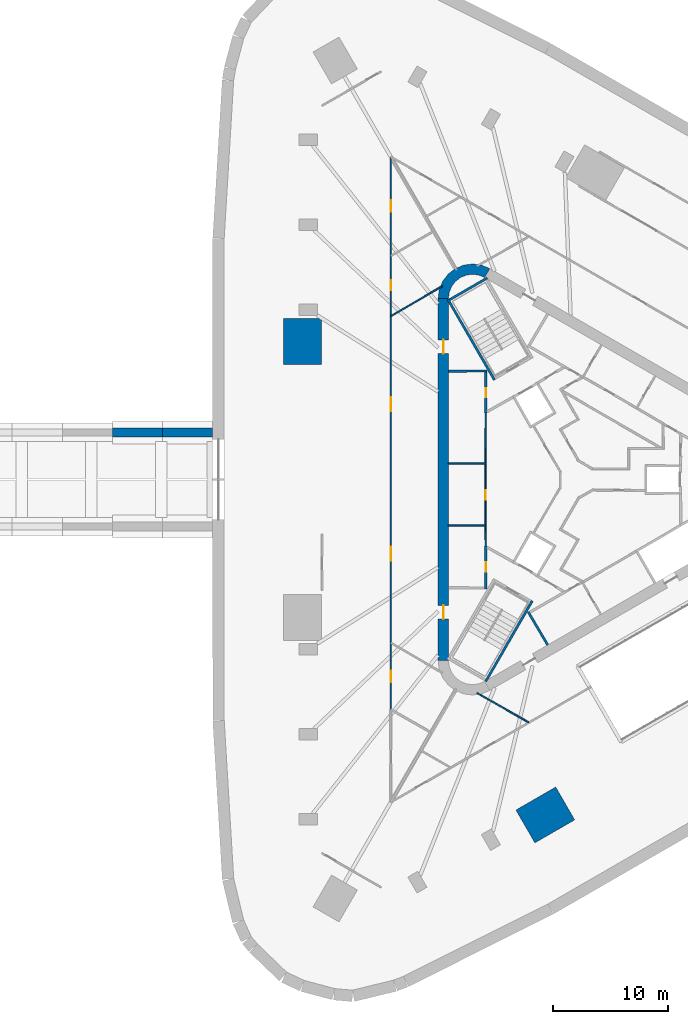
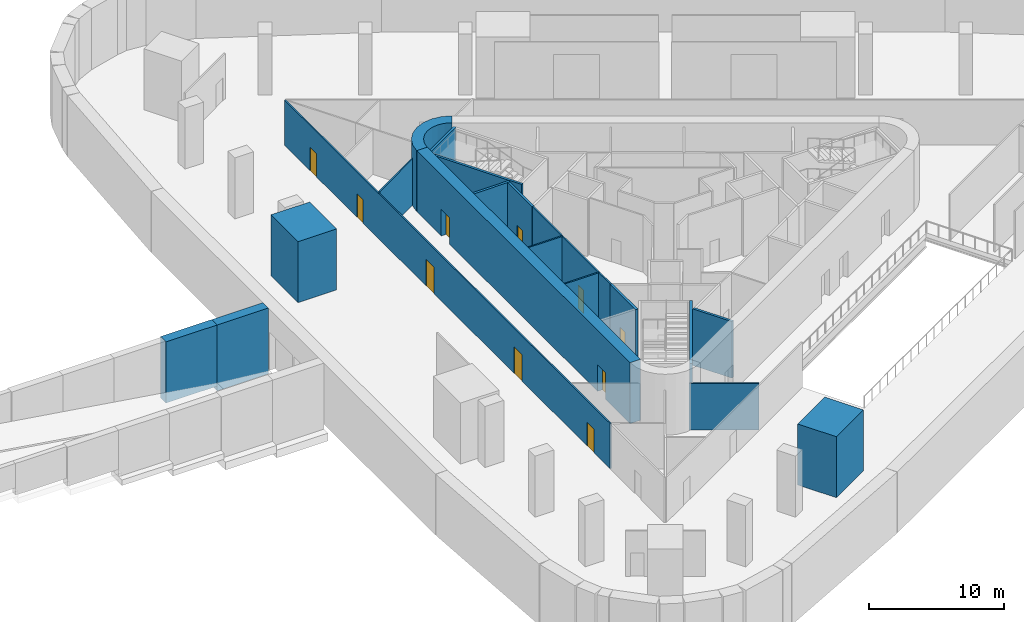
# One storey, part 5 of 13: 21 walls, 10 doors, 10 openings.
"""IFC4 building model written with IfcOpenShell, lengths in metres."""

from ifc_helpers import new_model, si_unit, direction, frame, frame_2d, origin, place, context, subcontext, project, spatial, polyline, rectangle, outline, extrude, material, layer, layer_set, type_object, element, fill, save


model = new_model("IFC4")

# Units and contexts
model_context = context("Model", 3, precision=1e-05, world=origin(), true_north=direction((0.0, 1.0)))
body_context = subcontext(model_context, "Body", "Model", "MODEL_VIEW")
ifc_project = project(units=[si_unit("LENGTHUNIT", "METRE"), si_unit("AREAUNIT", "SQUARE_METRE"), si_unit("VOLUMEUNIT", "CUBIC_METRE"), si_unit("PLANEANGLEUNIT", "RADIAN"), si_unit("MASSUNIT", "GRAM", prefix="KILO")], contexts=[model_context])

# Site, building, storey
site_placement = place(None, origin())
site = spatial("IfcSite", under=ifc_project, at=site_placement, CompositionType="ELEMENT")
building_placement = place(site_placement, origin())
building = spatial("IfcBuilding", under=site, at=building_placement, Name="Tanit Gate Tower", CompositionType="ELEMENT")
storey_placement = place(building_placement, frame((0.0, 0.0, -5.5)))
storey = spatial("IfcBuildingStorey", under=building, at=storey_placement, Name="B1", CompositionType="ELEMENT", Elevation=-5.5)

# Wall, openings, doors
ifc_material_1 = material(Name="Concrete C60/75", Category="concrete")
ifc_layer_1 = layer(ifc_material_1, 0.89990234375)
ifc_layer_set_1 = layer_set([ifc_layer_1], Name="CORE WALL 900 C60/75")
wall_type_1 = type_object("IfcWallType", Name="CORE WALL 900 C60/75", PredefinedType="SHEAR", material=ifc_layer_set_1)
wall_1_placement = place(storey_placement, frame((-11.64990234375, 15.76171875, 0.0), z_axis=(0.0, 0.0, 1.0), x_axis=(0.0, -1.0, 0.0)))
wall_1 = element("IfcWall", 1, at=wall_1_placement, inside=storey, type_object=wall_type_1, Name="CORE WALL", PredefinedType="SHEAR", context=body_context, shape_type="SweptSolid", body=[
    extrude(rectangle(XDim=31.5234375, YDim=0.89990234375, at=frame_2d((15.76171875, 0.0))), origin(), (0.0, 0.0, 1.0), 5.5),
])
opening_1_placement = place(wall_1_placement, frame((3.61181640625, 0.0, 0.0)))
opening_1 = element("IfcOpeningElement", 2, at=opening_1_placement, cuts=wall_1, Name="Opening F12-B1-FL2", PredefinedType="OPENING", context=body_context, shape_type="SweptSolid", body=[
    extrude(rectangle(XDim=1.199951171875, YDim=2.39990234375, at=frame_2d((0.60009765625, 1.199951171875))), frame((0.0, 0.4599609375, 0.0), z_axis=(0.0, -1.0, 0.0), x_axis=(1.0, 0.0, 0.0)), (0.0, 0.0, 1.0), 0.919921875),
])
opening_2_placement = place(wall_1_placement, frame((26.711669921875, 0.0, 0.0)))
opening_2 = element("IfcOpeningElement", 3, at=opening_2_placement, cuts=wall_1, Name="Opening F12-B1-S3", PredefinedType="OPENING", context=body_context, shape_type="SweptSolid", body=[
    extrude(rectangle(XDim=1.199951171875, YDim=2.39990234375, at=frame_2d((0.60009765625, 1.199951171875))), frame((0.0, 0.4599609375, 0.0), z_axis=(0.0, -1.0, 0.0), x_axis=(1.0, 0.0, 0.0)), (0.0, 0.0, 1.0), 0.919921875),
])
ifc_material_2 = material(Name="Fire-rated steel door leaf", Category="steel")
door_type_1 = type_object("IfcDoorType", Name="INT-DOOR-FIRE-LOBBY-1200", OperationType="NOTDEFINED", PredefinedType="USERDEFINED", material=ifc_material_2)
door_1_placement = place(opening_1_placement, origin())
door_1 = element("IfcDoor", 4, at=door_1_placement, inside=storey, type_object=door_type_1, Name="Door F12-B1-FL2", ObjectType="FIRE DOOR", OperationType="SINGLE_SWING_LEFT", OverallHeight=2.39990234375, OverallWidth=1.199951171875, PredefinedType="USERDEFINED", context=body_context, shape_type="SweptSolid", body=[
    extrude(rectangle(XDim=1.199951171875, YDim=2.39990234375, at=frame_2d((0.60009765625, 1.199951171875))), frame((0.0, 0.02490234375, 0.0), z_axis=(0.0, -1.0, 0.0), x_axis=(1.0, 0.0, 0.0)), (0.0, 0.0, 1.0), 0.050048828125),
])
fill(opening_1, door_1)
door_2_placement = place(opening_2_placement, origin())
door_2 = element("IfcDoor", 5, at=door_2_placement, inside=storey, type_object=door_type_1, Name="Door F12-B1-S3", ObjectType="FIRE DOOR", OperationType="SINGLE_SWING_LEFT", OverallHeight=2.39990234375, OverallWidth=1.199951171875, PredefinedType="USERDEFINED", context=body_context, shape_type="SweptSolid", body=[
    extrude(rectangle(XDim=1.199951171875, YDim=2.39990234375, at=frame_2d((0.60009765625, 1.199951171875))), frame((0.0, 0.02490234375, 0.0), z_axis=(0.0, -1.0, 0.0), x_axis=(1.0, 0.0, 0.0)), (0.0, 0.0, 1.0), 0.050048828125),
])
fill(opening_2, door_2)

# Walls
wall_2_placement = place(storey_placement, origin())
element("IfcWall", 6, at=wall_2_placement, inside=storey, type_object=wall_type_1, Name="CORE WALL CORNER", PredefinedType="SHEAR", context=body_context, shape_type="SweptSolid", body=[
    extrude(outline(polyline([(-7.60009765625, 18.359619140625), (-8.323486328125, 18.659423828125), (-9.10009765625, 18.76171875), (-9.87646484375, 18.659423828125), (-10.60009765625, 18.359619140625), (-11.22119140625, 17.883056640625), (-11.697998046875, 17.26171875), (-11.997802734375, 16.5380859375), (-12.10009765625, 15.76171875), (-11.199951171875, 15.76171875), (-11.12841796875, 16.30517578125), (-10.918701171875, 16.811767578125), (-10.5849609375, 17.24658203125), (-10.14990234375, 17.580322265625), (-9.6435546875, 17.7900390625), (-9.10009765625, 17.86181640625), (-8.556396484375, 17.7900390625), (-8.050048828125, 17.580322265625), (-7.60009765625, 18.359619140625)])), origin(), (0.0, 0.0, 1.0), 5.5),
])
ifc_material_3 = material(Name="Fire-rated gypsum board partition")
ifc_layer_2 = layer(ifc_material_3, 0.199951171875)
ifc_layer_set_2 = layer_set([ifc_layer_2], Name="INT-WALL-COMPARTMENT")
wall_type_2 = type_object("IfcWallType", Name="INT-WALL-COMPARTMENT", PredefinedType="PARTITIONING", material=ifc_layer_set_2)
wall_3_placement = place(storey_placement, frame((-7.85009765625, 9.450927734375, 0.0), z_axis=(0.0, 0.0, 1.0), x_axis=(-0.999957167047, -0.009255488683, 0.0)))
element("IfcWall", 7, at=wall_3_placement, inside=storey, type_object=wall_type_2, Name="Wall Compartment W034", PredefinedType="PARTITIONING", context=body_context, shape_type="SweptSolid", body=[
    extrude(rectangle(XDim=3.35009765625, YDim=0.199951171875, at=frame_2d((1.675048828125, 0.0))), origin(), (0.0, 0.0, 1.0), 5.10009765625),
])

# Wall, opening, door
wall_4_placement = place(storey_placement, frame((-7.949951171875, -9.550048828125, 0.0), z_axis=(0.0, 0.0, 1.0), x_axis=(0.0, 1.0, 0.0)))
wall_4 = element("IfcWall", 8, at=wall_4_placement, inside=storey, type_object=wall_type_2, Name="Wall Compartment W039", PredefinedType="PARTITIONING", context=body_context, shape_type="SweptSolid", body=[
    extrude(rectangle(XDim=3.777587890625, YDim=0.199951171875, at=frame_2d((1.888671875, 0.0))), origin(), (0.0, 0.0, 1.0), 5.10009765625),
])
opening_3_placement = place(wall_4_placement, frame((1.538818359375, 0.0, 0.0)))
opening_3 = element("IfcOpeningElement", 9, at=opening_3_placement, cuts=wall_4, Name="Opening R08-B1-16", PredefinedType="OPENING", context=body_context, shape_type="SweptSolid", body=[
    extrude(rectangle(XDim=0.800048828125, YDim=2.10009765625, at=frame_2d((0.39990234375, 1.050048828125))), frame((0.0, 0.10986328125, 0.0), z_axis=(0.0, -1.0, 0.0), x_axis=(1.0, 0.0, 0.0)), (0.0, 0.0, 1.0), 0.219970703125),
])
ifc_material_4 = material(Name="Timber door leaf", Category="wood")
door_type_2 = type_object("IfcDoorType", Name="INT-DOOR-RISER-800", OperationType="NOTDEFINED", PredefinedType="USERDEFINED", material=ifc_material_4)
door_3_placement = place(opening_3_placement, origin())
door_3 = element("IfcDoor", 10, at=door_3_placement, inside=storey, type_object=door_type_2, Name="Door R08-B1-16", ObjectType="FIRE DOOR", OperationType="SINGLE_SWING_RIGHT", OverallHeight=2.10009765625, OverallWidth=0.800048828125, PredefinedType="USERDEFINED", context=body_context, shape_type="SweptSolid", body=[
    extrude(rectangle(XDim=0.800048828125, YDim=2.10009765625, at=frame_2d((0.39990234375, 1.050048828125))), frame((0.0, 0.02490234375, 0.0), z_axis=(0.0, -1.0, 0.0), x_axis=(1.0, 0.0, 0.0)), (0.0, 0.0, 1.0), 0.050048828125),
])
fill(opening_3, door_3)

wall_5_placement = place(storey_placement, frame((-7.949951171875, 5.7724609375, 0.0), z_axis=(0.0, 0.0, 1.0), x_axis=(0.0, 1.0, 0.0)))
wall_5 = element("IfcWall", 11, at=wall_5_placement, inside=storey, type_object=wall_type_2, Name="Wall Compartment W035", PredefinedType="PARTITIONING", context=body_context, shape_type="SweptSolid", body=[
    extrude(rectangle(XDim=3.57763671875, YDim=0.199951171875, at=frame_2d((1.788818359375, 0.0))), origin(), (0.0, 0.0, 1.0), 5.10009765625),
])
opening_4_placement = place(wall_5_placement, frame((1.388916015625, 0.0, 0.0)))
opening_4 = element("IfcOpeningElement", 12, at=opening_4_placement, cuts=wall_5, Name="Opening R08-B1-14", PredefinedType="OPENING", context=body_context, shape_type="SweptSolid", body=[
    extrude(rectangle(XDim=0.800048828125, YDim=2.10009765625, at=frame_2d((0.39990234375, 1.050048828125))), frame((0.0, 0.10986328125, 0.0), z_axis=(0.0, -1.0, 0.0), x_axis=(1.0, 0.0, 0.0)), (0.0, 0.0, 1.0), 0.219970703125),
])
door_4_placement = place(opening_4_placement, origin())
door_4 = element("IfcDoor", 13, at=door_4_placement, inside=storey, type_object=door_type_2, Name="Door R08-B1-14", ObjectType="FIRE DOOR", OperationType="SINGLE_SWING_LEFT", OverallHeight=2.10009765625, OverallWidth=0.800048828125, PredefinedType="USERDEFINED", context=body_context, shape_type="SweptSolid", body=[
    extrude(rectangle(XDim=0.800048828125, YDim=2.10009765625, at=frame_2d((0.39990234375, 1.050048828125))), frame((0.0, 0.02490234375, 0.0), z_axis=(0.0, -1.0, 0.0), x_axis=(1.0, 0.0, 0.0)), (0.0, 0.0, 1.0), 0.050048828125),
])
fill(opening_4, door_4)

# Walls
wall_6_placement = place(storey_placement, frame((-4.259765625, -11.523681640625, 0.0), z_axis=(0.0, 0.0, 1.0), x_axis=(0.507997497166, -0.861358544901, 0.0)))
element("IfcWall", 14, at=wall_6_placement, inside=storey, type_object=wall_type_2, Name="Wall Compartment W053", PredefinedType="PARTITIONING", context=body_context, shape_type="SweptSolid", body=[
    extrude(rectangle(XDim=3.350341796875, YDim=0.199951171875, at=frame_2d((1.67529296875, 0.0))), origin(), (0.0, 0.0, 1.0), 5.10009765625),
])
ifc_material_5 = material(Name="Gypsum board partition")
ifc_layer_3 = layer(ifc_material_5, 0.1201171875)
ifc_layer_set_3 = layer_set([ifc_layer_3], Name="INT-WALL-PARTITION")
wall_type_3 = type_object("IfcWallType", Name="INT-WALL-PARTITION", PredefinedType="PARTITIONING", material=ifc_layer_set_3)
wall_7_placement = place(storey_placement, frame((-11.199951171875, 1.3798828125, 0.0), z_axis=(0.0, 0.0, 1.0), x_axis=(1.0, 0.0, 0.0)))
element("IfcWall", 15, at=wall_7_placement, inside=storey, type_object=wall_type_3, Name="Wall Partition W033", PredefinedType="PARTITIONING", context=body_context, shape_type="SweptSolid", body=[
    extrude(rectangle(XDim=3.25, YDim=0.1201171875, at=frame_2d((1.625, 0.0))), origin(), (0.0, 0.0, 1.0), 5.10009765625),
])
wall_8_placement = place(storey_placement, frame((-7.950439453125, 5.7724609375, 0.0), z_axis=(0.0, 0.0, 1.0), x_axis=(-0.006679767059, -0.999977690107, 0.0)))
element("IfcWall", 16, at=wall_8_placement, inside=storey, type_object=wall_type_3, Name="Wall Partition W036", PredefinedType="PARTITIONING", context=body_context, shape_type="SweptSolid", body=[
    extrude(rectangle(XDim=4.42236328125, YDim=0.1201171875, at=frame_2d((2.211181640625, 0.0))), origin(), (0.0, 0.0, 1.0), 5.10009765625),
])
wall_9_placement = place(storey_placement, frame((-11.199951171875, -4.02001953125, 0.0), z_axis=(0.0, 0.0, 1.0), x_axis=(1.0, 0.0, 0.0)))
element("IfcWall", 17, at=wall_9_placement, inside=storey, type_object=wall_type_3, Name="Wall Partition W037", PredefinedType="PARTITIONING", context=body_context, shape_type="SweptSolid", body=[
    extrude(rectangle(XDim=3.25, YDim=0.1201171875, at=frame_2d((1.625, 0.0))), origin(), (0.0, 0.0, 1.0), 5.10009765625),
])

# Wall, opening, door
wall_10_placement = place(storey_placement, frame((-7.97998046875, 1.35009765625, 0.0), z_axis=(0.0, 0.0, 1.0), x_axis=(0.0, -1.0, 0.0)))
wall_10 = element("IfcWall", 18, at=wall_10_placement, inside=storey, type_object=wall_type_3, Name="Wall Partition W038", PredefinedType="PARTITIONING", context=body_context, shape_type="SweptSolid", body=[
    extrude(rectangle(XDim=5.400146484375, YDim=0.1201171875, at=frame_2d((2.7001953125, 0.0))), origin(), (0.0, 0.0, 1.0), 5.10009765625),
])
opening_5_placement = place(wall_10_placement, frame((2.300048828125, 0.0, 0.0)))
opening_5 = element("IfcOpeningElement", 19, at=opening_5_placement, cuts=wall_10, Name="Opening R08-B1-15", PredefinedType="OPENING", context=body_context, shape_type="SweptSolid", body=[
    extrude(rectangle(XDim=0.800048828125, YDim=2.10009765625, at=frame_2d((0.39990234375, 1.050048828125))), frame((0.0, 0.070068359375, 0.0), z_axis=(0.0, -1.0, 0.0), x_axis=(1.0, 0.0, 0.0)), (0.0, 0.0, 1.0), 0.14013671875),
])
door_5_placement = place(opening_5_placement, origin())
door_5 = element("IfcDoor", 20, at=door_5_placement, inside=storey, type_object=door_type_2, Name="Door R08-B1-15", ObjectType="FIRE DOOR", OperationType="SINGLE_SWING_RIGHT", OverallHeight=2.10009765625, OverallWidth=0.800048828125, PredefinedType="USERDEFINED", context=body_context, shape_type="SweptSolid", body=[
    extrude(rectangle(XDim=0.800048828125, YDim=2.10009765625, at=frame_2d((0.39990234375, 1.050048828125))), frame((0.0, 0.02490234375, 0.0), z_axis=(0.0, -1.0, 0.0), x_axis=(1.0, 0.0, 0.0)), (0.0, 0.0, 1.0), 0.050048828125),
])
fill(opening_5, door_5)

# Wall
wall_11_placement = place(storey_placement, frame((-7.97998046875, -4.050048828125, 0.0), z_axis=(0.0, 0.0, 1.0), x_axis=(0.016723387416, -0.999860154378, 0.0)))
element("IfcWall", 21, at=wall_11_placement, inside=storey, type_object=wall_type_3, Name="Wall Partition W041", PredefinedType="PARTITIONING", context=body_context, shape_type="SweptSolid", body=[
    extrude(rectangle(XDim=1.72265625, YDim=0.1201171875, at=frame_2d((0.861328125, 0.0))), origin(), (0.0, 0.0, 1.0), 5.10009765625),
])

# Wall, openings, doors
wall_12_placement = place(storey_placement, frame((-16.219970703125, -20.053466796875, 0.0), z_axis=(0.0, 0.0, 1.0), x_axis=(0.0, 1.0, 0.0)))
wall_12 = element("IfcWall", 22, at=wall_12_placement, inside=storey, type_object=wall_type_3, Name="Wall Partition W094", PredefinedType="PARTITIONING", context=body_context, shape_type="SweptSolid", body=[
    extrude(rectangle(XDim=48.11279296875, YDim=0.1201171875, at=frame_2d((24.056396484375, 0.0))), origin(), (0.0, 0.0, 1.0), 4.070068359375),
])
opening_6_placement = place(wall_12_placement, frame((12.991455078125, 0.0, 0.0)))
opening_6 = element("IfcOpeningElement", 23, at=opening_6_placement, cuts=wall_12, Name="Opening F12-B1-26", PredefinedType="OPENING", context=body_context, shape_type="SweptSolid", body=[
    extrude(rectangle(XDim=1.199951171875, YDim=2.39990234375, at=frame_2d((0.60009765625, 1.199951171875))), frame((0.0, 0.070068359375, 0.0), z_axis=(0.0, -1.0, 0.0), x_axis=(1.0, 0.0, 0.0)), (0.0, 0.0, 1.0), 0.14013671875),
])
opening_7_placement = place(wall_12_placement, frame((25.991455078125, 0.0, 0.0)))
opening_7 = element("IfcOpeningElement", 24, at=opening_7_placement, cuts=wall_12, Name="Opening F12-B1-27", PredefinedType="OPENING", context=body_context, shape_type="SweptSolid", body=[
    extrude(rectangle(XDim=1.199951171875, YDim=2.39990234375, at=frame_2d((0.60009765625, 1.199951171875))), frame((0.0, 0.070068359375, 0.0), z_axis=(0.0, -1.0, 0.0), x_axis=(1.0, 0.0, 0.0)), (0.0, 0.0, 1.0), 0.14013671875),
])
opening_8_placement = place(wall_12_placement, frame((36.515380859375, 0.0, 0.0)))
opening_8 = element("IfcOpeningElement", 25, at=opening_8_placement, cuts=wall_12, Name="Opening D09-B1-30", PredefinedType="OPENING", context=body_context, shape_type="SweptSolid", body=[
    extrude(rectangle(XDim=0.89990234375, YDim=2.10009765625, at=frame_2d((0.449951171875, 1.050048828125))), frame((0.0, 0.070068359375, 0.0), z_axis=(0.0, -1.0, 0.0), x_axis=(1.0, 0.0, 0.0)), (0.0, 0.0, 1.0), 0.14013671875),
])
opening_9_placement = place(wall_12_placement, frame((43.360595703125, 0.0, 0.0)))
opening_9 = element("IfcOpeningElement", 26, at=opening_9_placement, cuts=wall_12, Name="Opening D10-B1-31", PredefinedType="OPENING", context=body_context, shape_type="SweptSolid", body=[
    extrude(rectangle(XDim=1.0, YDim=2.10009765625, at=frame_2d((0.5, 1.050048828125))), frame((0.0, 0.070068359375, 0.0), z_axis=(0.0, -1.0, 0.0), x_axis=(1.0, 0.0, 0.0)), (0.0, 0.0, 1.0), 0.14013671875),
])
opening_10_placement = place(wall_12_placement, frame((2.394287109375, 0.0, 0.0)))
opening_10 = element("IfcOpeningElement", 27, at=opening_10_placement, cuts=wall_12, Name="Opening D10-B1-32", PredefinedType="OPENING", context=body_context, shape_type="SweptSolid", body=[
    extrude(rectangle(XDim=1.0, YDim=2.10009765625, at=frame_2d((0.5, 1.050048828125))), frame((0.0, 0.070068359375, 0.0), z_axis=(0.0, -1.0, 0.0), x_axis=(1.0, 0.0, 0.0)), (0.0, 0.0, 1.0), 0.14013671875),
])
door_6_placement = place(opening_6_placement, origin())
door_6 = element("IfcDoor", 28, at=door_6_placement, inside=storey, type_object=door_type_1, Name="Door F12-B1-26", ObjectType="FIRE DOOR", OperationType="SINGLE_SWING_LEFT", OverallHeight=2.39990234375, OverallWidth=1.199951171875, PredefinedType="USERDEFINED", context=body_context, shape_type="SweptSolid", body=[
    extrude(rectangle(XDim=1.199951171875, YDim=2.39990234375, at=frame_2d((0.60009765625, 1.199951171875))), frame((0.0, 0.02490234375, 0.0), z_axis=(0.0, -1.0, 0.0), x_axis=(1.0, 0.0, 0.0)), (0.0, 0.0, 1.0), 0.050048828125),
])
fill(opening_6, door_6)
door_7_placement = place(opening_7_placement, origin())
door_7 = element("IfcDoor", 29, at=door_7_placement, inside=storey, type_object=door_type_1, Name="Door F12-B1-27", ObjectType="FIRE DOOR", OperationType="SINGLE_SWING_RIGHT", OverallHeight=2.39990234375, OverallWidth=1.199951171875, PredefinedType="USERDEFINED", context=body_context, shape_type="SweptSolid", body=[
    extrude(rectangle(XDim=1.199951171875, YDim=2.39990234375, at=frame_2d((0.60009765625, 1.199951171875))), frame((0.0, 0.02490234375, 0.0), z_axis=(0.0, -1.0, 0.0), x_axis=(1.0, 0.0, 0.0)), (0.0, 0.0, 1.0), 0.050048828125),
])
fill(opening_7, door_7)
ifc_material_6 = material(Name="Timber door leaf", Category="wood")
door_type_3 = type_object("IfcDoorType", Name="INT-DOOR-SINGLE-1000", OperationType="NOTDEFINED", PredefinedType="NOTDEFINED", material=ifc_material_6)
door_8_placement = place(opening_9_placement, origin())
door_8 = element("IfcDoor", 30, at=door_8_placement, inside=storey, type_object=door_type_3, Name="Door D10-B1-31", OperationType="SINGLE_SWING_RIGHT", OverallHeight=2.10009765625, OverallWidth=1.0, PredefinedType="NOTDEFINED", context=body_context, shape_type="SweptSolid", body=[
    extrude(rectangle(XDim=1.0, YDim=2.10009765625, at=frame_2d((0.5, 1.050048828125))), frame((0.0, 0.02490234375, 0.0), z_axis=(0.0, -1.0, 0.0), x_axis=(1.0, 0.0, 0.0)), (0.0, 0.0, 1.0), 0.050048828125),
])
fill(opening_9, door_8)
door_9_placement = place(opening_10_placement, origin())
door_9 = element("IfcDoor", 31, at=door_9_placement, inside=storey, type_object=door_type_3, Name="Door D10-B1-32", OperationType="SINGLE_SWING_RIGHT", OverallHeight=2.10009765625, OverallWidth=1.0, PredefinedType="NOTDEFINED", context=body_context, shape_type="SweptSolid", body=[
    extrude(rectangle(XDim=1.0, YDim=2.10009765625, at=frame_2d((0.5, 1.050048828125))), frame((0.0, 0.02490234375, 0.0), z_axis=(0.0, -1.0, 0.0), x_axis=(1.0, 0.0, 0.0)), (0.0, 0.0, 1.0), 0.050048828125),
])
fill(opening_10, door_9)
ifc_material_7 = material(Name="Timber door leaf", Category="wood")
door_type_4 = type_object("IfcDoorType", Name="INT-DOOR-SINGLE-900", OperationType="NOTDEFINED", PredefinedType="NOTDEFINED", material=ifc_material_7)
door_10_placement = place(opening_8_placement, origin())
door_10 = element("IfcDoor", 32, at=door_10_placement, inside=storey, type_object=door_type_4, Name="Door D09-B1-30", OperationType="SINGLE_SWING_RIGHT", OverallHeight=2.10009765625, OverallWidth=0.89990234375, PredefinedType="NOTDEFINED", context=body_context, shape_type="SweptSolid", body=[
    extrude(rectangle(XDim=0.89990234375, YDim=2.10009765625, at=frame_2d((0.449951171875, 1.050048828125))), frame((0.0, 0.02490234375, 0.0), z_axis=(0.0, -1.0, 0.0), x_axis=(1.0, 0.0, 0.0)), (0.0, 0.0, 1.0), 0.050048828125),
])
fill(opening_8, door_10)

# Walls
wall_13_placement = place(storey_placement, frame((-8.706787109375, -18.58251953125, 0.0), z_axis=(0.0, 0.0, 1.0), x_axis=(0.868530929613, -0.495634970825, 0.0)))
element("IfcWall", 33, at=wall_13_placement, inside=storey, type_object=wall_type_3, Name="Wall Partition W105", PredefinedType="PARTITIONING", context=body_context, shape_type="SweptSolid", body=[
    extrude(rectangle(XDim=5.165771484375, YDim=0.1201171875, at=frame_2d((2.5830078125, 0.0))), origin(), (0.0, 0.0, 1.0), 4.179931640625),
])
wall_14_placement = place(storey_placement, frame((-11.739501953125, 16.83154296875, 0.0), z_axis=(0.0, 0.0, 1.0), x_axis=(-0.863501067027, -0.504347010741, 0.0)))
element("IfcWall", 34, at=wall_14_placement, inside=storey, type_object=wall_type_3, Name="Wall Partition W108", PredefinedType="PARTITIONING", context=body_context, shape_type="SweptSolid", body=[
    extrude(rectangle(XDim=5.16552734375, YDim=0.1201171875, at=frame_2d((2.582763671875, 0.0))), origin(), (0.0, 0.0, 1.0), 4.179931640625),
])
ifc_material_8 = material(Name="Concrete C40/50", Category="concrete")
ifc_layer_4 = layer(ifc_material_8, 0.199951171875)
ifc_layer_set_4 = layer_set([ifc_layer_4], Name="INT-WALL-STAIR")
wall_type_4 = type_object("IfcWallType", Name="INT-WALL-STAIR", PredefinedType="SHEAR", material=ifc_layer_set_4)
wall_15_placement = place(storey_placement, frame((-11.245361328125, 15.677734375, -0.39990234375), z_axis=(0.0, 0.0, 1.0), x_axis=(0.499977274689, -0.866038523851, 0.0)))
element("IfcWall", 35, at=wall_15_placement, inside=storey, type_object=wall_type_4, Name="Wall Stair W015", PredefinedType="SHEAR", context=body_context, shape_type="SweptSolid", body=[
    extrude(rectangle(XDim=8.10009765625, YDim=0.199951171875, at=frame_2d((4.050048828125, 0.0))), origin(), (0.0, 0.0, 1.0), 5.5),
])
wall_16_placement = place(storey_placement, frame((-7.81787109375, 17.541015625, -0.39990234375), z_axis=(0.0, 0.0, 1.0), x_axis=(-0.866044365799, -0.499967155389, 0.0)))
element("IfcWall", 36, at=wall_16_placement, inside=storey, type_object=wall_type_4, Name="Wall Stair W016", PredefinedType="SHEAR", context=body_context, shape_type="SweptSolid", body=[
    extrude(rectangle(XDim=3.800048828125, YDim=0.199951171875, at=frame_2d((1.89990234375, 0.0))), origin(), (0.0, 0.0, 1.0), 5.5),
])
wall_17_placement = place(storey_placement, frame((-3.904541015625, -10.56298828125, -0.39990234375), z_axis=(0.0, 0.0, 1.0), x_axis=(-0.500012932018, -0.866017937352, 0.0)))
element("IfcWall", 37, at=wall_17_placement, inside=storey, type_object=wall_type_4, Name="Wall Stair W024", PredefinedType="SHEAR", context=body_context, shape_type="SweptSolid", body=[
    extrude(rectangle(XDim=8.099853515625, YDim=0.199951171875, at=frame_2d((4.0498046875, 0.0))), origin(), (0.0, 0.0, 1.0), 5.5),
])
ifc_material_9 = material(Name="Concrete C60/75", Category="concrete")
ifc_layer_5 = layer(ifc_material_9, 4.0)
ifc_layer_set_5 = layer_set([ifc_layer_5], Name="PIER WALL 4000 C60/75")
wall_type_5 = type_object("IfcWallType", Name="PIER WALL 4000 C60/75", PredefinedType="SHEAR", material=ifc_layer_set_5)
wall_18_placement = place(storey_placement, origin())
element("IfcWall", 38, at=wall_18_placement, inside=storey, type_object=wall_type_5, Name="PIER WALL", PredefinedType="SHEAR", context=body_context, shape_type="SweptSolid", body=[
    extrude(outline(polyline([(-3.677734375, -31.6298828125), (-0.213623046875, -29.6298828125), (-1.86376953125, -26.77197265625), (-5.327880859375, -28.77197265625), (-3.677734375, -31.6298828125)])), origin(), (0.0, 0.0, 1.0), 5.5),
])
wall_19_placement = place(storey_placement, origin())
element("IfcWall", 39, at=wall_19_placement, inside=storey, type_object=wall_type_5, Name="PIER WALL", PredefinedType="SHEAR", context=body_context, shape_type="SweptSolid", body=[
    extrude(outline(polyline([(-25.553466796875, 14.0), (-25.553466796875, 10.0), (-22.25341796875, 10.0), (-22.25341796875, 14.0), (-25.553466796875, 14.0)])), origin(), (0.0, 0.0, 1.0), 5.5),
])
ifc_material_10 = material(Name="Concrete C35/45", Category="concrete")
ifc_layer_6 = layer(ifc_material_10, 0.800048828125)
ifc_layer_set_6 = layer_set([ifc_layer_6], Name="RETAINING WALL 800 C35/45")
wall_type_6 = type_object("IfcWallType", Name="RETAINING WALL 800 C35/45", PredefinedType="SOLIDWALL", material=ifc_layer_set_6)
wall_20_placement = place(storey_placement, frame((-31.719970703125, 4.10009765625, -0.449951171875), z_axis=(0.0, 0.0, 1.0), x_axis=(-1.0, 0.0, 0.0)))
element("IfcWall", 40, at=wall_20_placement, inside=storey, type_object=wall_type_6, Name="RETAINING WALL", PredefinedType="SOLIDWALL", context=body_context, shape_type="SweptSolid", body=[
    extrude(rectangle(XDim=4.364501953125, YDim=0.800048828125, at=frame_2d((2.18212890625, 0.0))), origin(), (0.0, 0.0, 1.0), 5.949951171875),
])
wall_21_placement = place(storey_placement, frame((-36.08447265625, 4.10009765625, -0.015625), z_axis=(0.0, 0.0, 1.0), x_axis=(-1.0, 0.0, 0.0)))
element("IfcWall", 41, at=wall_21_placement, inside=storey, type_object=wall_type_6, Name="RETAINING WALL", PredefinedType="SOLIDWALL", context=body_context, shape_type="SweptSolid", body=[
    extrude(rectangle(XDim=4.364501953125, YDim=0.800048828125, at=frame_2d((2.18212890625, 0.0))), origin(), (0.0, 0.0, 1.0), 5.515625),
])

save(model, "model.ifc")
